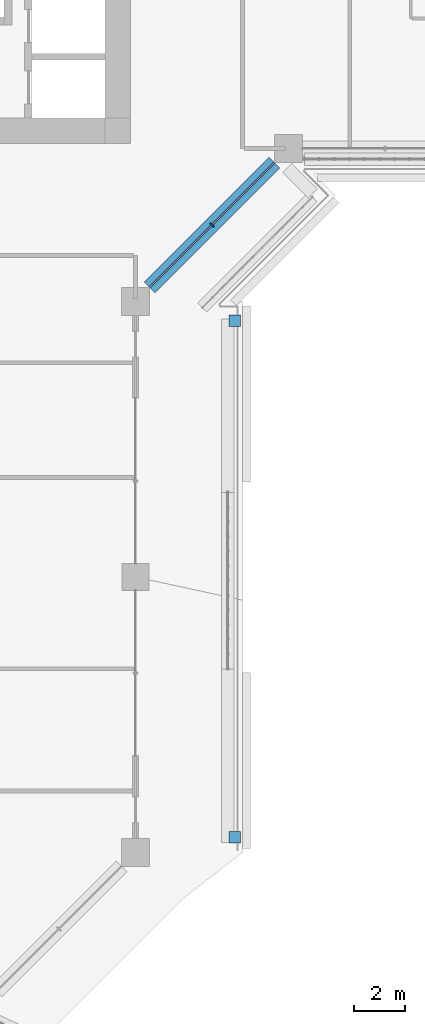
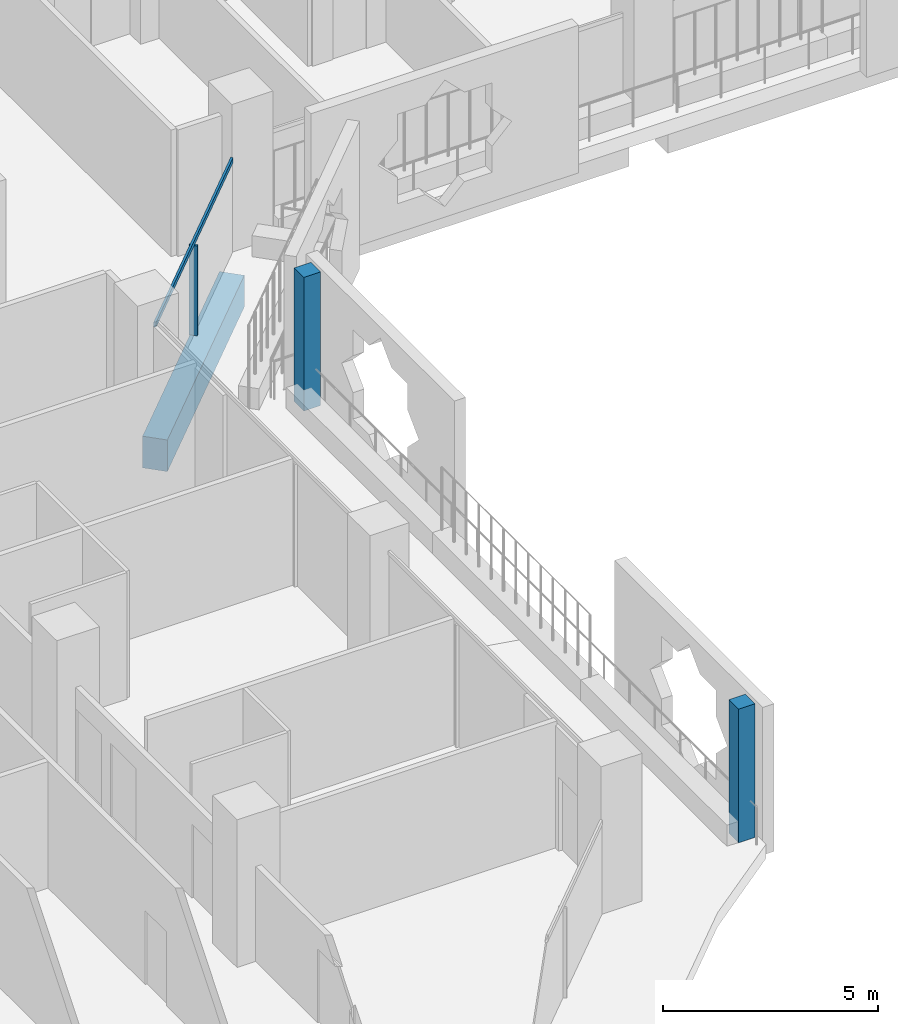
# One storey, part 4 of 25: 4 members, 1 beam, 2 elements without a shape of their own.
"""IFC4 building model written with IfcOpenShell, lengths in metres."""

from ifc_helpers import new_model, si_unit, direction, frame, origin, origin_2d, place, context, subcontext, project, spatial, rectangle, extrude, material, layer, layer_set, material_profile, profile_set, type_object, element, aggregate, save


model = new_model("IFC4")

# Units and contexts
model_context = context("Model", 3, precision=1e-05, world=origin(), true_north=direction((0.0, 1.0)))
body_context = subcontext(model_context, "Body", "Model", "MODEL_VIEW")
ifc_project = project(units=[si_unit("LENGTHUNIT", "METRE"), si_unit("AREAUNIT", "SQUARE_METRE"), si_unit("VOLUMEUNIT", "CUBIC_METRE"), si_unit("PLANEANGLEUNIT", "RADIAN"), si_unit("MASSUNIT", "GRAM", prefix="KILO")], contexts=[model_context])

# Site, building, storey
site_placement = place(None, origin())
site = spatial("IfcSite", under=ifc_project, at=site_placement, CompositionType="ELEMENT")
building_placement = place(site_placement, origin())
building = spatial("IfcBuilding", under=site, at=building_placement, Name="Kawkab Arch Medical Tower", CompositionType="ELEMENT")
storey_placement = place(building_placement, frame((0.0, 0.0, 132.39990234375)))
storey = spatial("IfcBuildingStorey", under=building, at=storey_placement, Name="L30", CompositionType="ELEMENT", Elevation=132.39990234375)

# Curtain wall, members
ifc_material_1 = material(Name="Bronze anodised aluminium curtain wall frame", Category="aluminium")
ifc_layer_1 = layer(ifc_material_1, 0.159912109375)
ifc_layer_set_1 = layer_set([ifc_layer_1], Name="Bronze anodised aluminium curtain wall frame")
curtain_wall_type_1 = type_object("IfcCurtainWallType", Name="CW2 chamfer curtain wall", PredefinedType="NOTDEFINED", material=ifc_layer_set_1)
placement = place(storey_placement, origin())
curtain_wall_1 = element("IfcCurtainWall", 1, at=placement, inside=storey, type_object=curtain_wall_type_1, Name="CW2 Chamfer curtain wall R06", PredefinedType="NOTDEFINED")
ifc_material_2 = material(Name="Bronze anodised aluminium curtain wall frame", Category="aluminium")
ifc_material_profile_1 = material_profile(ifc_material_2, rectangle(XDim=0.199951171875, YDim=0.06005859375, at=origin_2d()), Name="AL 60x200")
ifc_profile_set_1 = profile_set([ifc_material_profile_1], Name="Bronze anodised aluminium curtain wall frame")
member_type_1 = type_object("IfcMemberType", Name="CW2 mullion 60 x 200", PredefinedType="MULLION", material=ifc_profile_set_1)
member_1_placement = place(storey_placement, frame((28.199951171875, -28.199951171875, 0.0), z_axis=(0.0, 0.0, 1.0), x_axis=(-0.707106781187, 0.707106781187, 0.0)))
member_1 = element("IfcMember", 2, at=member_1_placement, type_object=member_type_1, Name="CW2 mullion 1.1", PredefinedType="MULLION", context=body_context, shape_type="SweptSolid", body=[
    extrude(rectangle(XDim=0.199951171875, YDim=0.06005859375, at=origin_2d()), origin(), (0.0, 0.0, 1.0), 2.56005859375),
])
ifc_material_3 = material(Name="Bronze anodised aluminium curtain wall frame", Category="aluminium")
ifc_material_profile_2 = material_profile(ifc_material_3, rectangle(XDim=0.06005859375, YDim=0.139892578125, at=origin_2d()), Name="AL 60x140")
ifc_profile_set_2 = profile_set([ifc_material_profile_2], Name="Bronze anodised aluminium curtain wall frame")
member_type_2 = type_object("IfcMemberType", Name="CW2 transom 140 x 60", PredefinedType="USERDEFINED", material=ifc_profile_set_2)
member_2_placement = place(storey_placement, frame((25.75, -30.64990234375, 2.630126953125), z_axis=(0.707106781187, 0.707106781187, 0.0), x_axis=(-0.707106781187, 0.707106781187, 0.0)))
member_2 = element("IfcMember", 3, at=member_2_placement, type_object=member_type_2, Name="CW2 transom 1", ObjectType="TRANSOM", PredefinedType="USERDEFINED", context=body_context, shape_type="SweptSolid", body=[
    extrude(rectangle(XDim=0.06005859375, YDim=0.139892578125, at=origin_2d()), origin(), (0.0, 0.0, 1.0), 6.929443359375),
])
aggregate(curtain_wall_1, [member_2, member_1])

ifc_material_4 = material(Name="Bronze anodised aluminium climber frame, planted", Category="aluminium")
ifc_layer_2 = layer(ifc_material_4, 0.449951171875)
ifc_layer_set_2 = layer_set([ifc_layer_2], Name="Bronze anodised aluminium climber frame, planted")
curtain_wall_type_2 = type_object("IfcCurtainWallType", Name="Planted climber frame", PredefinedType="NOTDEFINED", material=ifc_layer_set_2)
curtain_wall_2 = element("IfcCurtainWall", 4, at=placement, inside=storey, type_object=curtain_wall_type_2, Name="Planted climber frame L30", PredefinedType="NOTDEFINED")
ifc_material_5 = material(Name="Bronze anodised aluminium climber frame, planted", Category="aluminium")
ifc_material_profile_3 = material_profile(ifc_material_5, rectangle(XDim=0.449951171875, YDim=0.449951171875, at=origin_2d()), Name="Post 450x450")
ifc_profile_set_3 = profile_set([ifc_material_profile_3], Name="Bronze anodised aluminium climber frame, planted")
member_type_3 = type_object("IfcMemberType", Name="Planted climber post 450 x 450", PredefinedType="MULLION", material=ifc_profile_set_3)
member_3_placement = place(storey_placement, frame((29.10009765625, -31.949951171875, 0.0), z_axis=(0.0, 0.0, 1.0), x_axis=(1.0, 0.0, 0.0)))
member_3 = element("IfcMember", 5, at=member_3_placement, type_object=member_type_3, Name="Planted climber post L30.LOG-01-01.5", PredefinedType="MULLION", context=body_context, shape_type="SweptSolid", body=[
    extrude(rectangle(XDim=0.449951171875, YDim=0.449951171875, at=origin_2d()), origin(), (0.0, 0.0, 1.0), 3.800048828125),
])
member_4_placement = place(storey_placement, frame((29.10009765625, -52.202880859375, 0.0), z_axis=(0.0, 0.0, 1.0), x_axis=(1.0, 0.0, 0.0)))
member_4 = element("IfcMember", 6, at=member_4_placement, type_object=member_type_3, Name="Planted climber post L30.LOG-01-01.6", PredefinedType="MULLION", context=body_context, shape_type="SweptSolid", body=[
    extrude(rectangle(XDim=0.449951171875, YDim=0.449951171875, at=origin_2d()), origin(), (0.0, 0.0, 1.0), 3.800048828125),
])
aggregate(curtain_wall_2, [member_3, member_4])

# Beam
ifc_material_6 = material(Name="Concrete C55/67", Category="concrete")
ifc_material_profile_4 = material_profile(ifc_material_6, rectangle(XDim=0.60009765625, YDim=0.89990234375, at=origin_2d()), Name="RC 600x900")
ifc_profile_set_4 = profile_set([ifc_material_profile_4], Name="Concrete C55/67")
beam_type = type_object("IfcBeamType", Name="RC 600x900 beam C55/67", PredefinedType="BEAM", material=ifc_profile_set_4)
beam_placement = place(storey_placement, frame((30.64990234375, -25.75, -1.0498046875), z_axis=(-0.707106781187, -0.707106781187, 0.0), x_axis=(0.707106781187, -0.707106781187, 0.0)))
element("IfcBeam", 7, at=beam_placement, inside=storey, type_object=beam_type, Name="Overhang edge beam L30-06", PredefinedType="BEAM", context=body_context, shape_type="SweptSolid", body=[
    extrude(rectangle(XDim=0.60009765625, YDim=0.89990234375, at=origin_2d()), origin(), (0.0, 0.0, 1.0), 6.929443359375),
])

save(model, "model.ifc")
